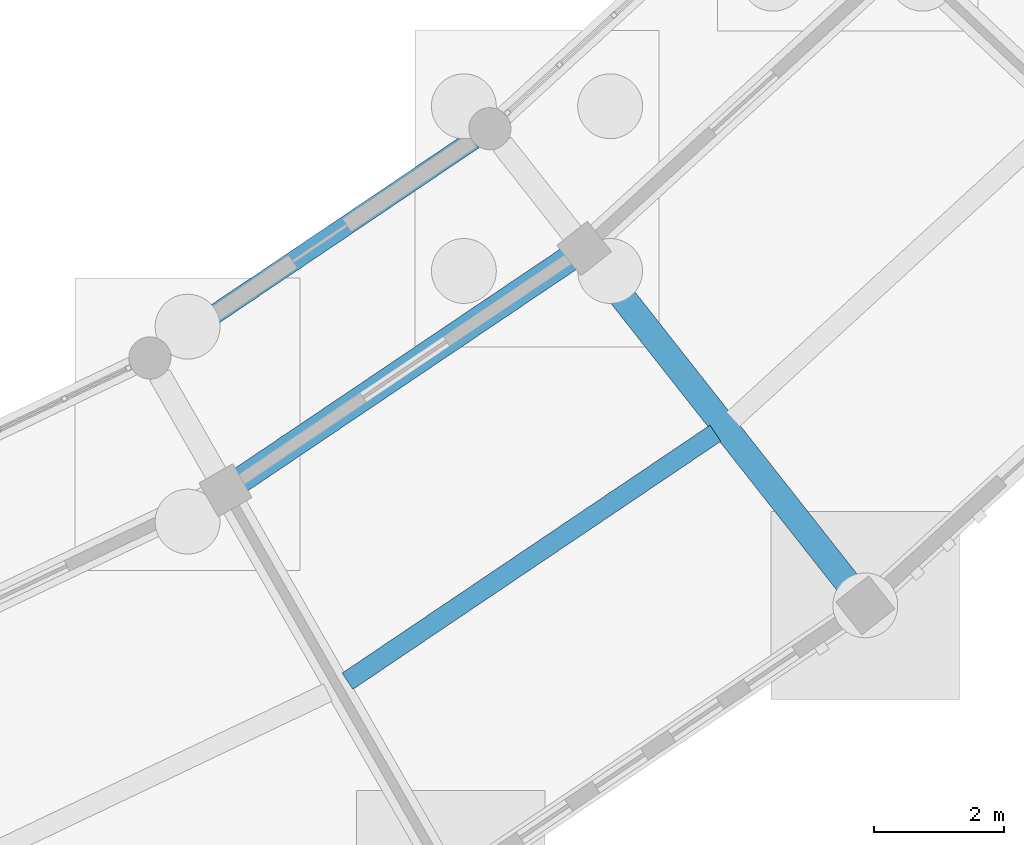
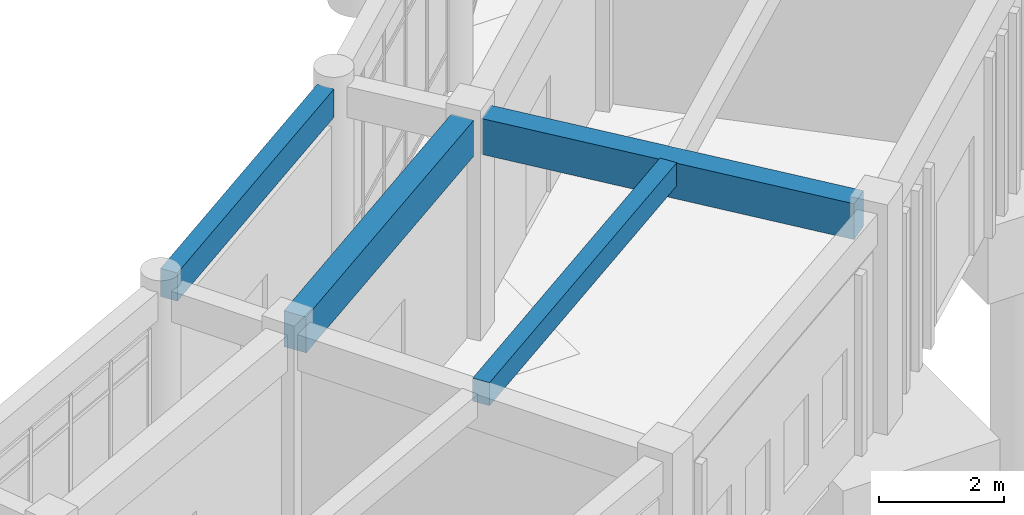
# One storey, part 47 of 153: 4 beams.
"""IFC4 building model written with IfcOpenShell, lengths in metres."""

import ifcopenshell
import ifcopenshell.guid

model = None  # the IFC model being written
_history = None  # IfcOwnerHistory: only IFC2X3 demands one
_inside = {}  # id of a spatial element -> (the spatial element, [elements in it])
_under = {}  # id of a project, library or spatial element -> (it, [spatial elements below it])
_declared = {}  # id of a project -> (the project, [libraries it declares])
_typed = {}  # id of a type object -> (the type object, [elements of that type])
_made_of = {}  # id of a material, layer set ... -> (it, [elements and type objects made of it])


def new_model(schema):
    """Start an empty IFC model of exactly this schema.

    Asked for "IFC4X3", IfcOpenShell would pick the latest addendum, in which some entities
    have other attributes; the version numbers below select the first issue.
    IFC2X3 requires an IfcOwnerHistory on every rooted entity: one is made here for all.
    """
    global model, _history
    if schema == "IFC4X3":
        model = ifcopenshell.file(schema_version=(4, 3, 0, 0))
    else:
        model = ifcopenshell.file(schema=schema)
    _inside.clear()
    _under.clear()
    _declared.clear()
    _typed.clear()
    _made_of.clear()
    _history = None
    if model.schema == "IFC2X3":
        org = make("IfcOrganization", Name="unknown")
        user = make(
            "IfcPersonAndOrganization",
            ThePerson=make("IfcPerson", FamilyName="unknown"),
            TheOrganization=org,
        )
        app = make(
            "IfcApplication",
            ApplicationDeveloper=org,
            Version="unknown",
            ApplicationFullName="unknown",
            ApplicationIdentifier="unknown",
        )
        _history = make(
            "IfcOwnerHistory",
            OwningUser=user,
            OwningApplication=app,
            ChangeAction="ADDED",
            CreationDate=0,
        )
    return model


def make(cls, **values):
    """One entity of the class cls with the attributes given. An attribute that is None is left unset."""
    return model.create_entity(
        cls, **{name: value for name, value in values.items() if value is not None}
    )


def rooted(cls, **values):
    """An entity with a GlobalId (a new one), such as an element, a storey or a relation."""
    return make(cls, GlobalId=ifcopenshell.guid.new(), OwnerHistory=_history, **values)


def si_unit(unit_type, name, prefix=None):
    """IfcSIUnit, for example si_unit("LENGTHUNIT", "METRE", prefix="MILLI")."""
    return make("IfcSIUnit", UnitType=unit_type, Prefix=prefix, Name=name)


def assignment(units):
    """IfcUnitAssignment: the units of a project."""
    return None if units is None else make("IfcUnitAssignment", Units=units)


def point(xyz):
    """IfcCartesianPoint."""
    return None if xyz is None else make("IfcCartesianPoint", Coordinates=xyz)


def direction(xyz):
    """IfcDirection."""
    return None if xyz is None else make("IfcDirection", DirectionRatios=xyz)


def frame(location, z_axis=None, x_axis=None):
    """IfcAxis2Placement3D, a coordinate frame: its origin and axes. An axis left out is left unset."""
    return make(
        "IfcAxis2Placement3D",
        Location=point(location),
        Axis=direction(z_axis),
        RefDirection=direction(x_axis),
    )


def frame_2d(location, x_axis=None):
    """IfcAxis2Placement2D, a coordinate frame in the plane: its origin and x axis."""
    return make(
        "IfcAxis2Placement2D", Location=point(location), RefDirection=direction(x_axis)
    )


def origin():
    """The frame at (0, 0, 0) with its axes left unset."""
    return frame((0.0, 0.0, 0.0))


def origin_2d():
    """The frame at (0, 0) in the plane with its x axis left unset."""
    return frame_2d((0.0, 0.0))


def place(relative_to, where):
    """IfcLocalPlacement: puts the frame where relative to a parent placement (None: the world)."""
    return make(
        "IfcLocalPlacement", PlacementRelTo=relative_to, RelativePlacement=where
    )


def context(
    kind, dimensions, precision=None, world=None, true_north=None, identifier=None
):
    """IfcGeometricRepresentationContext, for example the 3D "Model" context."""
    return make(
        "IfcGeometricRepresentationContext",
        ContextIdentifier=identifier,
        ContextType=kind,
        CoordinateSpaceDimension=dimensions,
        Precision=precision,
        WorldCoordinateSystem=world,
        TrueNorth=true_north,
    )


def subcontext(parent, identifier, kind, view, scale=None):
    """IfcGeometricRepresentationSubContext, for example "Body" below "Model"."""
    return make(
        "IfcGeometricRepresentationSubContext",
        ContextIdentifier=identifier,
        ContextType=kind,
        ParentContext=parent,
        TargetScale=scale,
        TargetView=view,
    )


def project(units=None, contexts=None):
    """IfcProject with its units and contexts."""
    return rooted(
        "IfcProject",
        Name="project",
        RepresentationContexts=contexts,
        UnitsInContext=assignment(units),
    )


def spatial(cls, under=None, at=None, **own):
    """A site, building, storey or space (cls), placed at a placement, below another one or the project."""
    s = rooted(cls, ObjectPlacement=at, **own)
    if under is not None:
        _under.setdefault(under.id(), (under, []))[1].append(s)
    return s


def profile(cls, at=None, kind="AREA", **sizes):
    """A parametric profile (cls). Its sizes go by their IFC names, for example OverallWidth=200.0."""
    return make(cls, ProfileType=kind, Position=at, **sizes)


def rectangle(**sizes):
    """IfcRectangleProfileDef."""
    return profile("IfcRectangleProfileDef", **sizes)


def extrude(swept, where, along, depth):
    """IfcExtrudedAreaSolid: the profile swept, set in the frame where, extruded along a direction by depth."""
    return make(
        "IfcExtrudedAreaSolid",
        SweptArea=swept,
        Position=where,
        ExtrudedDirection=direction(along),
        Depth=depth,
    )


def shape(context_of_items, identifier, shape_type, items):
    """IfcShapeRepresentation: the items that make up one representation, for example the "Body"."""
    return make(
        "IfcShapeRepresentation",
        ContextOfItems=context_of_items,
        RepresentationIdentifier=identifier,
        RepresentationType=shape_type,
        Items=items,
    )


def material(Name=None, Category=None):
    """IfcMaterial."""
    return make("IfcMaterial", Name=Name, Category=Category)


def material_profile(
    of_material, cross_section, Name=None, Category=None, Priority=None
):
    """IfcMaterialProfile: a cross section and its material."""
    return make(
        "IfcMaterialProfile",
        Name=Name,
        Material=of_material,
        Profile=cross_section,
        Priority=Priority,
        Category=Category,
    )


def profile_set(profiles, Name=None, composite=None):
    """IfcMaterialProfileSet."""
    return make(
        "IfcMaterialProfileSet",
        Name=Name,
        MaterialProfiles=profiles,
        CompositeProfile=composite,
    )


def made_of(thing, what):
    """Note that an element or type object is made of a material, layer set ...; save() writes the relation."""
    if what is not None:
        _made_of.setdefault(what.id(), (what, []))[1].append(thing)
    return thing


def type_object(cls, material=None, **own):
    """A type object (cls), such as IfcWallType, which elements share."""
    return made_of(rooted(cls, **own), material)


def element(
    cls,
    number,
    at=None,
    inside=None,
    cuts=None,
    type_object=None,
    material=None,
    context=None,
    identifier="Body",
    shape_type=None,
    held_by="IfcProductDefinitionShape",
    body=None,
    shapes=None,
    **own,
):
    """One element of the class cls, such as IfcWall. Its Tag is "e" and its number.

    at: its placement. inside: the storey or other place that contains it. cuts: it is an
    opening in that element (IfcRelVoidsElement). A single representation is given by context,
    identifier, shape_type and body (its items); several are given by shapes. held_by: the class
    of the entity that holds the representations. save() writes the other relations.
    """
    e = rooted(cls, Tag="e%d" % number, ObjectPlacement=at, **own)
    if body is not None:
        shapes = [shape(context, identifier, shape_type, body)]
    if shapes is not None:
        e.Representation = make(held_by, Representations=shapes)
    if inside is not None:
        _inside.setdefault(inside.id(), (inside, []))[1].append(e)
    if cuts is not None:
        rooted(
            "IfcRelVoidsElement", RelatingBuildingElement=cuts, RelatedOpeningElement=e
        )
    if type_object is not None:
        _typed.setdefault(type_object.id(), (type_object, []))[1].append(e)
    return made_of(e, material)


def aggregate(whole, parts):
    """IfcRelAggregates: a whole, such as a stair, and the parts it consists of."""
    return rooted("IfcRelAggregates", RelatingObject=whole, RelatedObjects=parts)


def save(model, path):
    """Write the relations noted so far, then the file.

    IfcRelAggregates (storeys below a building ...), IfcRelContainedInSpatialStructure (elements
    in a storey), IfcRelDefinesByType, IfcRelAssociatesMaterial and IfcRelDeclares: one each for
    every whole, place, type object, material and project.
    """
    for whole, parts in _under.values():
        aggregate(whole, parts)
    for where, things in _inside.values():
        rooted(
            "IfcRelContainedInSpatialStructure",
            RelatedElements=things,
            RelatingStructure=where,
        )
    for kind, things in _typed.values():
        rooted("IfcRelDefinesByType", RelatedObjects=things, RelatingType=kind)
    for what, things in _made_of.values():
        rooted("IfcRelAssociatesMaterial", RelatedObjects=things, RelatingMaterial=what)
    for by, libraries in _declared.values():
        rooted("IfcRelDeclares", RelatingContext=by, RelatedDefinitions=libraries)
    model.write(path)


model = new_model("IFC4")

# Units and contexts
model_context = context("Model", 3, precision=1e-05, world=origin(), true_north=direction((0.0, 1.0)))
body_context = subcontext(model_context, "Body", "Model", "MODEL_VIEW")
ifc_project = project(units=[si_unit("LENGTHUNIT", "METRE"), si_unit("AREAUNIT", "SQUARE_METRE"), si_unit("VOLUMEUNIT", "CUBIC_METRE"), si_unit("PLANEANGLEUNIT", "RADIAN"), si_unit("MASSUNIT", "GRAM", prefix="KILO")], contexts=[model_context])

# Site, building, storey
site_placement = place(None, origin())
site = spatial("IfcSite", under=ifc_project, at=site_placement, CompositionType="ELEMENT")
building_placement = place(site_placement, origin())
building = spatial("IfcBuilding", under=site, at=building_placement, Name="Celadon Cloister-Ring School", CompositionType="ELEMENT")
storey_placement = place(building_placement, origin())
storey = spatial("IfcBuildingStorey", under=building, at=storey_placement, Name="L00", CompositionType="ELEMENT", Elevation=0.0)

# Beams
ifc_material_1 = material(Name="Concrete C35/45", Category="concrete")
ifc_material_profile_1 = material_profile(ifc_material_1, rectangle(XDim=0.39990234375, YDim=0.699951171875, at=origin_2d()), Name="RC400X700")
ifc_profile_set_1 = profile_set([ifc_material_profile_1], Name="Concrete C35/45")
beam_type_1 = type_object("IfcBeamType", Name="GT-03", PredefinedType="USERDEFINED", material=ifc_profile_set_1)
beam_1_placement = place(storey_placement, frame((118.993896484375, 18.388916015625, 3.929931640625), z_axis=(-0.618806152173, 0.785543726366, 0.0), x_axis=(-0.785543726366, -0.618806152173, 0.0)))
element("IfcBeam", 1, at=beam_1_placement, inside=storey, type_object=beam_type_1, Name="Beam 0042", ObjectType="GIRDER", PredefinedType="USERDEFINED", context=body_context, shape_type="SweptSolid", body=[
    extrude(rectangle(XDim=0.39990234375, YDim=0.699951171875, at=origin_2d()), origin(), (0.0, 0.0, 1.0), 6.425048828125),
])
beam_2_placement = place(storey_placement, frame((109.548095703125, 20.080078125, 3.929931640625), z_axis=(0.82927648131, 0.558838543362, 0.0), x_axis=(-0.558838543362, 0.82927648131, 0.0)))
element("IfcBeam", 2, at=beam_2_placement, inside=storey, type_object=beam_type_1, Name="Beam 0146", ObjectType="GIRDER", PredefinedType="USERDEFINED", context=body_context, shape_type="SweptSolid", body=[
    extrude(rectangle(XDim=0.39990234375, YDim=0.699951171875, at=origin_2d()), origin(), (0.0, 0.0, 1.0), 6.1162109375),
])
ifc_material_2 = material(Name="Concrete C35/45", Category="concrete")
ifc_material_profile_2 = material_profile(ifc_material_2, rectangle(XDim=0.300048828125, YDim=0.449951171875, at=origin_2d()), Name="RC300X450")
ifc_profile_set_2 = profile_set([ifc_material_profile_2], Name="Concrete C35/45")
beam_type_2 = type_object("IfcBeamType", Name="JT-01", PredefinedType="JOIST", material=ifc_profile_set_2)
beam_3_placement = place(storey_placement, frame((111.200927734375, 16.98388671875, 4.054931640625), z_axis=(0.829176460094, 0.558986939048, 0.0), x_axis=(-0.558986939048, 0.829176460094, 0.0)))
element("IfcBeam", 3, at=beam_3_placement, inside=storey, type_object=beam_type_2, Name="Beam 0148", PredefinedType="JOIST", context=body_context, shape_type="SweptSolid", body=[
    extrude(rectangle(XDim=0.300048828125, YDim=0.449951171875, at=origin_2d()), origin(), (0.0, 0.0, 1.0), 6.835693359375),
])
ifc_material_3 = material(Name="Concrete C35/45", Category="concrete")
ifc_material_profile_3 = material_profile(ifc_material_3, rectangle(XDim=0.300048828125, YDim=0.550048828125, at=origin_2d()), Name="RC300X550")
ifc_profile_set_3 = profile_set([ifc_material_profile_3], Name="Concrete C35/45")
beam_type_3 = type_object("IfcBeamType", Name="SP-02", PredefinedType="SPANDREL", material=ifc_profile_set_3)
beam_4_placement = place(storey_placement, frame((108.404052734375, 22.134033203125, 4.0048828125), z_axis=(0.829181671267, 0.558979208947, 0.0), x_axis=(-0.558979208947, 0.829181671267, 0.0)))
element("IfcBeam", 4, at=beam_4_placement, inside=storey, type_object=beam_type_3, Name="Beam 0147", PredefinedType="SPANDREL", context=body_context, shape_type="SweptSolid", body=[
    extrude(rectangle(XDim=0.300048828125, YDim=0.550048828125, at=origin_2d()), origin(), (0.0, 0.0, 1.0), 5.717529296875),
])

save(model, "model.ifc")
